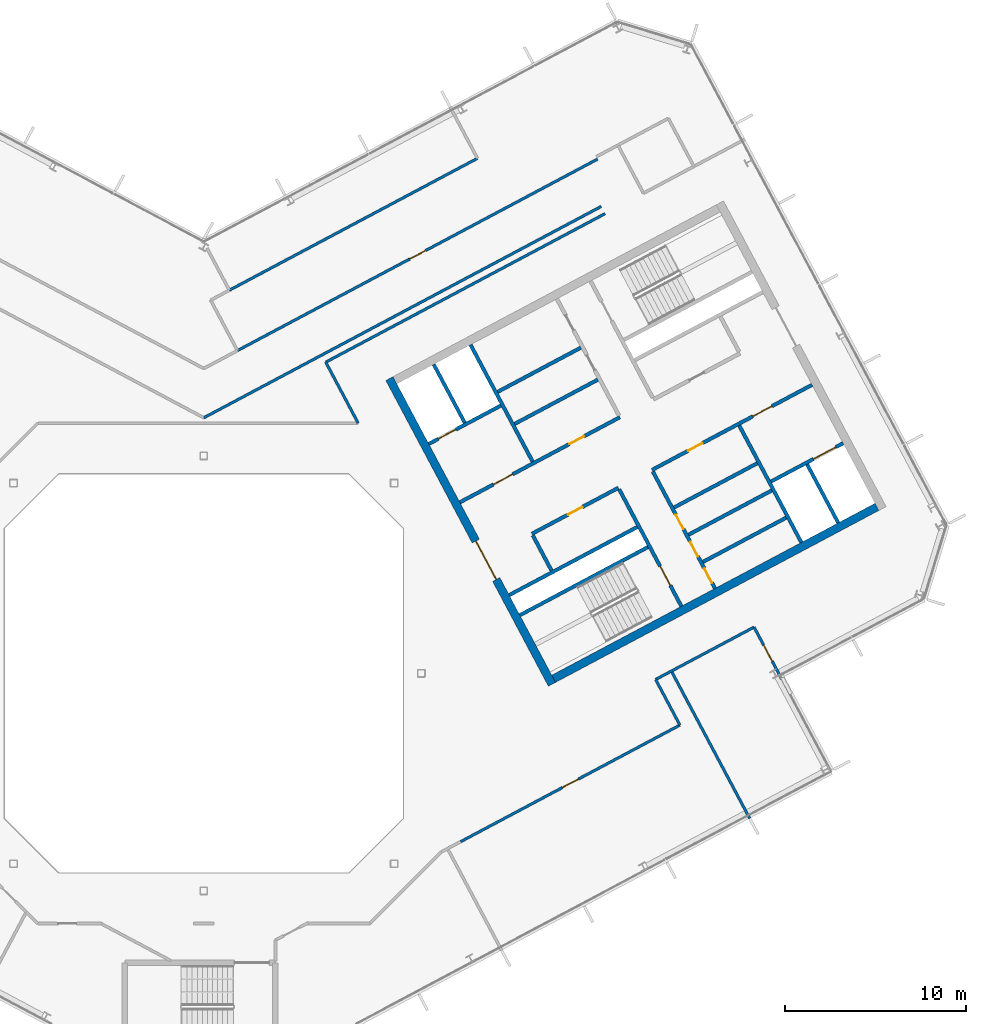
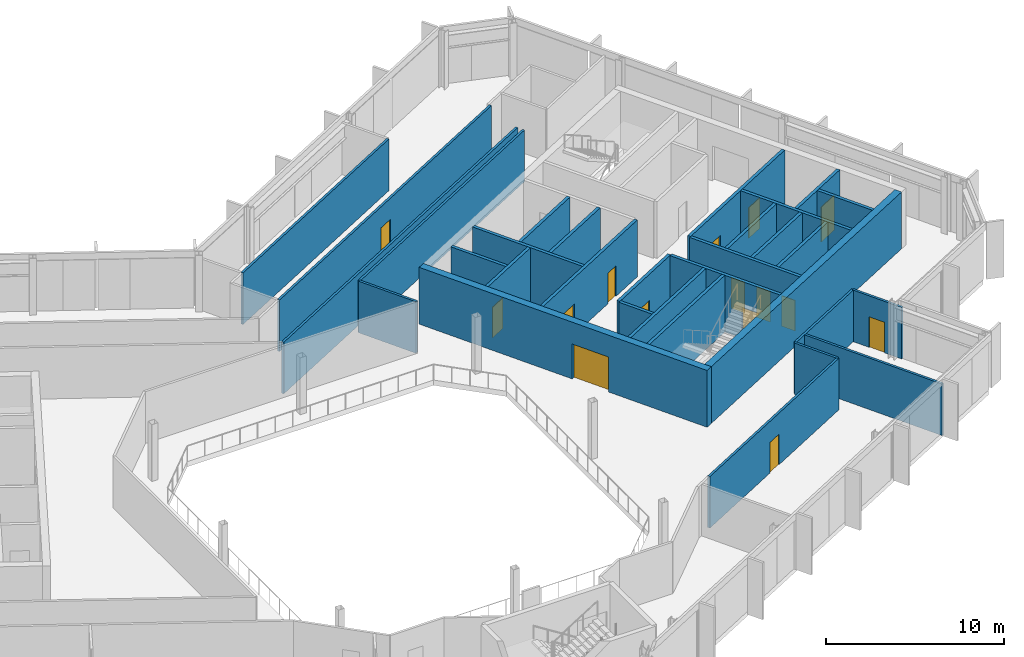
# One storey, part 16 of 26: 31 walls, 15 doors, 15 openings.
"""IFC4 building model written with IfcOpenShell, lengths in metres."""

from ifc_helpers import new_model, si_unit, direction, frame, frame_2d, origin, place, context, subcontext, project, spatial, rectangle, extrude, material, layer, layer_set, type_object, element, fill, save


model = new_model("IFC4")

# Units and contexts
model_context = context("Model", 3, precision=1e-05, world=origin(), true_north=direction((0.0, 1.0)))
body_context = subcontext(model_context, "Body", "Model", "MODEL_VIEW")
ifc_project = project(units=[si_unit("LENGTHUNIT", "METRE"), si_unit("AREAUNIT", "SQUARE_METRE"), si_unit("VOLUMEUNIT", "CUBIC_METRE"), si_unit("PLANEANGLEUNIT", "RADIAN"), si_unit("MASSUNIT", "GRAM", prefix="KILO")], contexts=[model_context])

# Site, building, storey
site_placement = place(None, origin())
site = spatial("IfcSite", under=ifc_project, at=site_placement, CompositionType="ELEMENT")
building_placement = place(site_placement, origin())
building = spatial("IfcBuilding", under=site, at=building_placement, Name="Cormorant Relay Tower", CompositionType="ELEMENT")
storey_placement = place(building_placement, frame((0.0, 0.0, 285.300048828125)))
storey = spatial("IfcBuildingStorey", under=building, at=storey_placement, Name="L64", CompositionType="ELEMENT", Elevation=285.300048828125)

# Walls
ifc_material_1 = material(Name="Concrete 40 MPa", Category="concrete")
ifc_layer_1 = layer(ifc_material_1, 0.199951171875)
ifc_layer_set_1 = layer_set([ifc_layer_1], Name="Core internal wall 200")
wall_type_1 = type_object("IfcWallType", Name="Core internal wall 200", PredefinedType="SOLIDWALL", material=ifc_layer_set_1)
for number, where, z_axis, x_axis, name in (
    (1, (27.537109375, 6.1474609375, 0.0), (0.0, 0.0, 1.0), (0.882934506056, 0.469496174655, 0.0), "L64 core B shaft and room wall"),
    (2, (26.739013671875, 7.6484375, 0.0), (0.0, 0.0, 1.0), (0.882934506056, 0.469496174655, 0.0), "L64 core B shaft and room wall"),
    (3, (16.2080078125, 15.526611328125, 0.0), (0.0, 0.0, 1.0), (0.882953967957, 0.469459572775, 0.0), "L64 core B shaft and room wall"),
):
    element("IfcWall", number, at=place(storey_placement, frame(where, z_axis=z_axis, x_axis=x_axis)), inside=storey, type_object=wall_type_1, Name=name, PredefinedType="SOLIDWALL", context=body_context, shape_type="SweptSolid", body=[
        extrude(rectangle(XDim=5.199951171875, YDim=0.199951171875, at=frame_2d((2.60009765625, 0.0))), origin(), (0.0, 0.0, 1.0), 3.89990234375),
    ])
ifc_material_2 = material(Name="Concrete 50 MPa", Category="concrete")
ifc_layer_2 = layer(ifc_material_2, 0.199951171875)
ifc_layer_set_2 = layer_set([ifc_layer_2], Name="Core shaft wall 200")
wall_type_2 = type_object("IfcWallType", Name="Core shaft wall 200", PredefinedType="SHEAR", material=ifc_layer_set_2)
wall_1_placement = place(storey_placement, frame((14.39404296875, 13.825927734375, 0.0), z_axis=(0.0, 0.0, 1.0), x_axis=(-0.469494272526, 0.882935517501, 0.0)))
element("IfcWall", 4, at=wall_1_placement, inside=storey, type_object=wall_type_2, Name="L64 core B shaft wall", PredefinedType="SHEAR", context=body_context, shape_type="SweptSolid", body=[
    extrude(rectangle(XDim=3.64990234375, YDim=0.199951171875, at=frame_2d((1.824951171875, 0.0))), origin(), (0.0, 0.0, 1.0), 3.89990234375),
])
wall_2_placement = place(storey_placement, frame((19.18359375, 5.669921875, 0.0), z_axis=(0.0, 0.0, 1.0), x_axis=(-0.4694473164, 0.882960484464, 0.0)))
element("IfcWall", 5, at=wall_2_placement, inside=storey, type_object=wall_type_2, Name="L64 core B shaft wall", PredefinedType="SHEAR", context=body_context, shape_type="SweptSolid", body=[
    extrude(rectangle(XDim=2.199951171875, YDim=0.199951171875, at=frame_2d((1.10009765625, 0.0))), origin(), (0.0, 0.0, 1.0), 3.89990234375),
])
wall_3_placement = place(storey_placement, frame((18.138427734375, 11.682861328125, 0.0), z_axis=(0.0, 0.0, 1.0), x_axis=(-0.469480409012, 0.88294288918, 0.0)))
element("IfcWall", 6, at=wall_3_placement, inside=storey, type_object=wall_type_2, Name="L64 core B shaft wall", PredefinedType="SHEAR", context=body_context, shape_type="SweptSolid", body=[
    extrude(rectangle(XDim=7.300048828125, YDim=0.199951171875, at=frame_2d((3.64990234375, 0.0))), origin(), (0.0, 0.0, 1.0), 3.89990234375),
])

# Wall, opening, door
wall_4_placement = place(storey_placement, frame((26.345947265625, 3.701904296875, 0.0), z_axis=(0.0, 0.0, 1.0), x_axis=(-0.469480409012, 0.88294288918, 0.0)))
wall_4 = element("IfcWall", 7, at=wall_4_placement, inside=storey, type_object=wall_type_2, Name="L64 core B shaft wall", PredefinedType="SHEAR", context=body_context, shape_type="SweptSolid", body=[
    extrude(rectangle(XDim=7.300048828125, YDim=0.199951171875, at=frame_2d((3.64990234375, 0.0))), origin(), (0.0, 0.0, 1.0), 3.89990234375),
])
opening_1_placement = place(wall_4_placement, frame((1.300048828125, 0.0, 0.0)))
opening_1 = element("IfcOpeningElement", 8, at=opening_1_placement, cuts=wall_4, Name="Opening CDB-040", PredefinedType="OPENING", context=body_context, shape_type="SweptSolid", body=[
    extrude(rectangle(XDim=1.199951171875, YDim=2.10009765625, at=frame_2d((0.60009765625, 1.050048828125))), frame((0.0, 0.10986328125, 0.0), z_axis=(0.0, -1.0, 0.0), x_axis=(1.0, 0.0, 0.0)), (0.0, 0.0, 1.0), 0.219970703125),
])
ifc_material_3 = material(Name="Steel fire door", Category="steel")
door_type_1 = type_object("IfcDoorType", Name="Core stair door 1200x2100", OperationType="SINGLE_SWING_LEFT", PredefinedType="DOOR", material=ifc_material_3)
door_1_placement = place(opening_1_placement, origin())
door_1 = element("IfcDoor", 9, at=door_1_placement, inside=storey, type_object=door_type_1, Name="Core stair door 1200x2100", OperationType="SINGLE_SWING_RIGHT", OverallHeight=2.10009765625, OverallWidth=1.199951171875, PredefinedType="DOOR", context=body_context, shape_type="SweptSolid", body=[
    extrude(rectangle(XDim=1.199951171875, YDim=2.10009765625, at=frame_2d((0.60009765625, 1.050048828125))), frame((0.0, 0.02490234375, 0.0), z_axis=(0.0, -1.0, 0.0), x_axis=(1.0, 0.0, 0.0)), (0.0, 0.0, 1.0), 0.050048828125),
])
fill(opening_1, door_1)

# Wall, openings, doors
wall_5_placement = place(storey_placement, frame((28.199951171875, 4.687744140625, 0.0), z_axis=(0.0, 0.0, 1.0), x_axis=(-0.469454336211, 0.882956752176, 0.0)))
wall_5 = element("IfcWall", 10, at=wall_5_placement, inside=storey, type_object=wall_type_2, Name="L64 core B shaft wall", PredefinedType="SHEAR", context=body_context, shape_type="SweptSolid", body=[
    extrude(rectangle(XDim=7.300048828125, YDim=0.199951171875, at=frame_2d((3.64990234375, 0.0))), origin(), (0.0, 0.0, 1.0), 3.89990234375),
])
opening_2_placement = place(wall_5_placement, frame((0.35009765625, 0.0, 0.0)))
opening_2 = element("IfcOpeningElement", 11, at=opening_2_placement, cuts=wall_5, Name="Opening CDD-334", PredefinedType="OPENING", context=body_context, shape_type="SweptSolid", body=[
    extrude(rectangle(XDim=0.89990234375, YDim=2.10009765625, at=frame_2d((0.449951171875, 1.050048828125))), frame((0.0, 0.10986328125, 0.0), z_axis=(0.0, -1.0, 0.0), x_axis=(1.0, 0.0, 0.0)), (0.0, 0.0, 1.0), 0.219970703125),
])
opening_3_placement = place(wall_5_placement, frame((2.0, 0.0, 0.0)))
opening_3 = element("IfcOpeningElement", 12, at=opening_3_placement, cuts=wall_5, Name="Opening CDD-335", PredefinedType="OPENING", context=body_context, shape_type="SweptSolid", body=[
    extrude(rectangle(XDim=0.89990234375, YDim=2.10009765625, at=frame_2d((0.449951171875, 1.050048828125))), frame((0.0, 0.10986328125, 0.0), z_axis=(0.0, -1.0, 0.0), x_axis=(1.0, 0.0, 0.0)), (0.0, 0.0, 1.0), 0.219970703125),
])
opening_4_placement = place(wall_5_placement, frame((3.699951171875, 0.0, 0.0)))
opening_4 = element("IfcOpeningElement", 13, at=opening_4_placement, cuts=wall_5, Name="Opening CDD-336", PredefinedType="OPENING", context=body_context, shape_type="SweptSolid", body=[
    extrude(rectangle(XDim=0.89990234375, YDim=2.10009765625, at=frame_2d((0.449951171875, 1.050048828125))), frame((0.0, 0.10986328125, 0.0), z_axis=(0.0, -1.0, 0.0), x_axis=(1.0, 0.0, 0.0)), (0.0, 0.0, 1.0), 0.219970703125),
])
ifc_material_4 = material(Name="Steel fire door", Category="steel")
door_type_2 = type_object("IfcDoorType", Name="Core room door 900x2100", OperationType="SINGLE_SWING_LEFT", PredefinedType="DOOR", material=ifc_material_4)
door_2_placement = place(opening_2_placement, frame((0.89990234375, 0.0, 0.0), z_axis=(0.0, 0.0, 1.0), x_axis=(-1.0, 0.0, 0.0)))
door_2 = element("IfcDoor", 14, at=door_2_placement, inside=storey, type_object=door_type_2, Name="Core room door 900x2100", OperationType="SINGLE_SWING_LEFT", OverallHeight=2.10009765625, OverallWidth=0.89990234375, PredefinedType="DOOR", context=body_context, shape_type="SweptSolid", body=[
    extrude(rectangle(XDim=0.89990234375, YDim=2.10009765625, at=frame_2d((0.449951171875, 1.050048828125))), frame((0.0, 0.02490234375, 0.0), z_axis=(0.0, -1.0, 0.0), x_axis=(1.0, 0.0, 0.0)), (0.0, 0.0, 1.0), 0.050048828125),
])
fill(opening_2, door_2)
door_3_placement = place(opening_3_placement, frame((0.89990234375, 0.0, 0.0), z_axis=(0.0, 0.0, 1.0), x_axis=(-1.0, 0.0, 0.0)))
door_3 = element("IfcDoor", 15, at=door_3_placement, inside=storey, type_object=door_type_2, Name="Core room door 900x2100", OperationType="SINGLE_SWING_LEFT", OverallHeight=2.10009765625, OverallWidth=0.89990234375, PredefinedType="DOOR", context=body_context, shape_type="SweptSolid", body=[
    extrude(rectangle(XDim=0.89990234375, YDim=2.10009765625, at=frame_2d((0.449951171875, 1.050048828125))), frame((0.0, 0.02490234375, 0.0), z_axis=(0.0, -1.0, 0.0), x_axis=(1.0, 0.0, 0.0)), (0.0, 0.0, 1.0), 0.050048828125),
])
fill(opening_3, door_3)
door_4_placement = place(opening_4_placement, frame((0.89990234375, 0.0, 0.0), z_axis=(0.0, 0.0, 1.0), x_axis=(-1.0, 0.0, 0.0)))
door_4 = element("IfcDoor", 16, at=door_4_placement, inside=storey, type_object=door_type_2, Name="Core room door 900x2100", OperationType="SINGLE_SWING_LEFT", OverallHeight=2.10009765625, OverallWidth=0.89990234375, PredefinedType="DOOR", context=body_context, shape_type="SweptSolid", body=[
    extrude(rectangle(XDim=0.89990234375, YDim=2.10009765625, at=frame_2d((0.449951171875, 1.050048828125))), frame((0.0, 0.02490234375, 0.0), z_axis=(0.0, -1.0, 0.0), x_axis=(1.0, 0.0, 0.0)), (0.0, 0.0, 1.0), 0.050048828125),
])
fill(opening_4, door_4)

# Walls
wall_6_placement = place(storey_placement, frame((32.968017578125, 7.222900390625, 0.0), z_axis=(0.0, 0.0, 1.0), x_axis=(-0.469480409012, 0.88294288918, 0.0)))
element("IfcWall", 17, at=wall_6_placement, inside=storey, type_object=wall_type_2, Name="L64 core B shaft wall", PredefinedType="SHEAR", context=body_context, shape_type="SweptSolid", body=[
    extrude(rectangle(XDim=7.300048828125, YDim=0.199951171875, at=frame_2d((3.64990234375, 0.0))), origin(), (0.0, 0.0, 1.0), 3.89990234375),
])
wall_7_placement = place(storey_placement, frame((34.998779296875, 8.302734375, 0.0), z_axis=(0.0, 0.0, 1.0), x_axis=(-0.4694665462, 0.882950260207, 0.0)))
element("IfcWall", 18, at=wall_7_placement, inside=storey, type_object=wall_type_2, Name="L64 core B shaft wall", PredefinedType="SHEAR", context=body_context, shape_type="SweptSolid", body=[
    extrude(rectangle(XDim=3.650146484375, YDim=0.199951171875, at=frame_2d((1.8251953125, 0.0))), origin(), (0.0, 0.0, 1.0), 3.89990234375),
])
wall_8_placement = place(storey_placement, frame((17.43359375, 3.210205078125, 0.0), z_axis=(0.0, 0.0, 1.0), x_axis=(0.882940221191, 0.469485426614, 0.0)))
element("IfcWall", 19, at=wall_8_placement, inside=storey, type_object=wall_type_2, Name="L64 core B shaft wall", PredefinedType="SHEAR", context=body_context, shape_type="SweptSolid", body=[
    extrude(rectangle(XDim=8.0, YDim=0.199951171875, at=frame_2d((4.0, 0.0))), origin(), (0.0, 0.0, 1.0), 3.89990234375),
])

# Wall, opening, door
wall_9_placement = place(storey_placement, frame((31.295654296875, 10.5810546875, 0.0), z_axis=(0.0, 0.0, 1.0), x_axis=(0.882960433586, 0.469447412093, 0.0)))
wall_9 = element("IfcWall", 20, at=wall_9_placement, inside=storey, type_object=wall_type_2, Name="L64 core B shaft wall", PredefinedType="SHEAR", context=body_context, shape_type="SweptSolid", body=[
    extrude(rectangle(XDim=4.5, YDim=0.199951171875, at=frame_2d((2.25, 0.0))), origin(), (0.0, 0.0, 1.0), 3.89990234375),
])
opening_5_placement = place(wall_9_placement, frame((2.64990234375, 0.0, 0.0)))
opening_5 = element("IfcOpeningElement", 21, at=opening_5_placement, cuts=wall_9, Name="Opening LD3-016", PredefinedType="OPENING", context=body_context, shape_type="SweptSolid", body=[
    extrude(rectangle(XDim=1.39990234375, YDim=2.39990234375, at=frame_2d((0.699951171875, 1.199951171875))), frame((0.0, 0.10986328125, 0.0), z_axis=(0.0, -1.0, 0.0), x_axis=(1.0, 0.0, 0.0)), (0.0, 0.0, 1.0), 0.219970703125),
])
ifc_material_5 = material(Name="Stainless steel 316", Category="steel")
door_type_3 = type_object("IfcDoorType", Name="Lift landing door 1400x2400", OperationType="DOUBLE_DOOR_SLIDING", PredefinedType="DOOR", material=ifc_material_5)
door_5_placement = place(opening_5_placement, origin())
door_5 = element("IfcDoor", 22, at=door_5_placement, inside=storey, type_object=door_type_3, Name="SV2 landing door", OperationType="DOUBLE_DOOR_SLIDING", OverallHeight=2.39990234375, OverallWidth=1.39990234375, PredefinedType="DOOR", context=body_context, shape_type="SweptSolid", body=[
    extrude(rectangle(XDim=1.39990234375, YDim=2.39990234375, at=frame_2d((0.699951171875, 1.199951171875))), frame((0.0, 0.02490234375, 0.0), z_axis=(0.0, -1.0, 0.0), x_axis=(1.0, 0.0, 0.0)), (0.0, 0.0, 1.0), 0.050048828125),
])
fill(opening_5, door_5)

# Walls
wall_10_placement = place(storey_placement, frame((16.8466796875, 4.31396484375, 0.0), z_axis=(0.0, 0.0, 1.0), x_axis=(0.882940221191, 0.469485426614, 0.0)))
element("IfcWall", 23, at=wall_10_placement, inside=storey, type_object=wall_type_2, Name="L64 core B shaft wall", PredefinedType="SHEAR", context=body_context, shape_type="SweptSolid", body=[
    extrude(rectangle(XDim=8.0, YDim=0.199951171875, at=frame_2d((4.0, 0.0))), origin(), (0.0, 0.0, 1.0), 3.89990234375),
])
wall_11_placement = place(storey_placement, frame((25.94091796875, 9.149658203125, 0.0), z_axis=(0.0, 0.0, 1.0), x_axis=(0.882953967957, 0.469459572775, 0.0)))
element("IfcWall", 24, at=wall_11_placement, inside=storey, type_object=wall_type_2, Name="L64 core B shaft wall", PredefinedType="SHEAR", context=body_context, shape_type="SweptSolid", body=[
    extrude(rectangle(XDim=5.199951171875, YDim=0.199951171875, at=frame_2d((2.60009765625, 0.0))), origin(), (0.0, 0.0, 1.0), 3.89990234375),
])

# Wall, opening, door
wall_12_placement = place(storey_placement, frame((18.103759765625, 7.70068359375, 0.0), z_axis=(0.0, 0.0, 1.0), x_axis=(0.882952937579, 0.469461510692, 0.0)))
wall_12 = element("IfcWall", 25, at=wall_12_placement, inside=storey, type_object=wall_type_2, Name="L64 core B shaft wall", PredefinedType="SHEAR", context=body_context, shape_type="SweptSolid", body=[
    extrude(rectangle(XDim=5.400146484375, YDim=0.199951171875, at=frame_2d((2.7001953125, 0.0))), origin(), (0.0, 0.0, 1.0), 3.89990234375),
])
opening_6_placement = place(wall_12_placement, frame((2.25, 0.0, 0.0)))
opening_6 = element("IfcOpeningElement", 26, at=opening_6_placement, cuts=wall_12, Name="Opening CDD-262", PredefinedType="OPENING", context=body_context, shape_type="SweptSolid", body=[
    extrude(rectangle(XDim=0.89990234375, YDim=2.10009765625, at=frame_2d((0.449951171875, 1.050048828125))), frame((0.0, 0.10986328125, 0.0), z_axis=(0.0, -1.0, 0.0), x_axis=(1.0, 0.0, 0.0)), (0.0, 0.0, 1.0), 0.219970703125),
])
door_6_placement = place(opening_6_placement, frame((0.89990234375, 0.0, 0.0), z_axis=(0.0, 0.0, 1.0), x_axis=(-1.0, 0.0, 0.0)))
door_6 = element("IfcDoor", 27, at=door_6_placement, inside=storey, type_object=door_type_2, Name="Core room door 900x2100", OperationType="SINGLE_SWING_RIGHT", OverallHeight=2.10009765625, OverallWidth=0.89990234375, PredefinedType="DOOR", context=body_context, shape_type="SweptSolid", body=[
    extrude(rectangle(XDim=0.89990234375, YDim=2.10009765625, at=frame_2d((0.449951171875, 1.050048828125))), frame((0.0, 0.02490234375, 0.0), z_axis=(0.0, -1.0, 0.0), x_axis=(1.0, 0.0, 0.0)), (0.0, 0.0, 1.0), 0.050048828125),
])
fill(opening_6, door_6)

# Wall, openings, doors
wall_13_placement = place(storey_placement, frame((24.72607421875, 11.2216796875, 0.0), z_axis=(0.0, 0.0, 1.0), x_axis=(0.882940221191, 0.469485426614, 0.0)))
wall_13 = element("IfcWall", 28, at=wall_13_placement, inside=storey, type_object=wall_type_2, Name="L64 core B shaft wall", PredefinedType="SHEAR", context=body_context, shape_type="SweptSolid", body=[
    extrude(rectangle(XDim=10.0, YDim=0.199951171875, at=frame_2d((5.0, 0.0))), origin(), (0.0, 0.0, 1.0), 3.89990234375),
])
opening_7_placement = place(wall_13_placement, frame((6.300048828125, 0.0, 0.0)))
opening_7 = element("IfcOpeningElement", 29, at=opening_7_placement, cuts=wall_13, Name="Opening CDC-038", PredefinedType="OPENING", context=body_context, shape_type="SweptSolid", body=[
    extrude(rectangle(XDim=1.199951171875, YDim=2.10009765625, at=frame_2d((0.60009765625, 1.050048828125))), frame((0.0, 0.10986328125, 0.0), z_axis=(0.0, -1.0, 0.0), x_axis=(1.0, 0.0, 0.0)), (0.0, 0.0, 1.0), 0.219970703125),
])
opening_8_placement = place(wall_13_placement, frame((2.25, 0.0, 0.0)))
opening_8 = element("IfcOpeningElement", 30, at=opening_8_placement, cuts=wall_13, Name="Opening CDD-332", PredefinedType="OPENING", context=body_context, shape_type="SweptSolid", body=[
    extrude(rectangle(XDim=0.89990234375, YDim=2.10009765625, at=frame_2d((0.449951171875, 1.050048828125))), frame((0.0, 0.10986328125, 0.0), z_axis=(0.0, -1.0, 0.0), x_axis=(1.0, 0.0, 0.0)), (0.0, 0.0, 1.0), 0.219970703125),
])
ifc_material_6 = material(Name="Steel fire door", Category="steel")
door_type_4 = type_object("IfcDoorType", Name="Core lobby door 1200x2100", OperationType="SINGLE_SWING_LEFT", PredefinedType="DOOR", material=ifc_material_6)
door_7_placement = place(opening_7_placement, origin())
door_7 = element("IfcDoor", 31, at=door_7_placement, inside=storey, type_object=door_type_4, Name="Core lobby door 1200x2100", OperationType="SINGLE_SWING_LEFT", OverallHeight=2.10009765625, OverallWidth=1.199951171875, PredefinedType="DOOR", context=body_context, shape_type="SweptSolid", body=[
    extrude(rectangle(XDim=1.199951171875, YDim=2.10009765625, at=frame_2d((0.60009765625, 1.050048828125))), frame((0.0, 0.02490234375, 0.0), z_axis=(0.0, -1.0, 0.0), x_axis=(1.0, 0.0, 0.0)), (0.0, 0.0, 1.0), 0.050048828125),
])
fill(opening_7, door_7)
door_8_placement = place(opening_8_placement, origin())
door_8 = element("IfcDoor", 32, at=door_8_placement, inside=storey, type_object=door_type_2, Name="Core room door 900x2100", OperationType="SINGLE_SWING_LEFT", OverallHeight=2.10009765625, OverallWidth=0.89990234375, PredefinedType="DOOR", context=body_context, shape_type="SweptSolid", body=[
    extrude(rectangle(XDim=0.89990234375, YDim=2.10009765625, at=frame_2d((0.449951171875, 1.050048828125))), frame((0.0, 0.02490234375, 0.0), z_axis=(0.0, -1.0, 0.0), x_axis=(1.0, 0.0, 0.0)), (0.0, 0.0, 1.0), 0.050048828125),
])
fill(opening_8, door_8)

wall_14_placement = place(storey_placement, frame((14.123779296875, 9.43505859375, 0.0), z_axis=(0.0, 0.0, 1.0), x_axis=(0.882940221191, 0.469485426614, 0.0)))
wall_14 = element("IfcWall", 33, at=wall_14_placement, inside=storey, type_object=wall_type_2, Name="L64 core B shaft wall", PredefinedType="SHEAR", context=body_context, shape_type="SweptSolid", body=[
    extrude(rectangle(XDim=10.0, YDim=0.199951171875, at=frame_2d((5.0, 0.0))), origin(), (0.0, 0.0, 1.0), 3.89990234375),
])
opening_9_placement = place(wall_14_placement, frame((2.10009765625, 0.0, 0.0)))
opening_9 = element("IfcOpeningElement", 34, at=opening_9_placement, cuts=wall_14, Name="Opening CDC-037", PredefinedType="OPENING", context=body_context, shape_type="SweptSolid", body=[
    extrude(rectangle(XDim=1.199951171875, YDim=2.10009765625, at=frame_2d((0.60009765625, 1.050048828125))), frame((0.0, 0.10986328125, 0.0), z_axis=(0.0, -1.0, 0.0), x_axis=(1.0, 0.0, 0.0)), (0.0, 0.0, 1.0), 0.219970703125),
])
opening_10_placement = place(wall_14_placement, frame((6.85009765625, 0.0, 0.0)))
opening_10 = element("IfcOpeningElement", 35, at=opening_10_placement, cuts=wall_14, Name="Opening CDD-260", PredefinedType="OPENING", context=body_context, shape_type="SweptSolid", body=[
    extrude(rectangle(XDim=0.89990234375, YDim=2.10009765625, at=frame_2d((0.449951171875, 1.050048828125))), frame((0.0, 0.10986328125, 0.0), z_axis=(0.0, -1.0, 0.0), x_axis=(1.0, 0.0, 0.0)), (0.0, 0.0, 1.0), 0.219970703125),
])
door_9_placement = place(opening_9_placement, origin())
door_9 = element("IfcDoor", 36, at=door_9_placement, inside=storey, type_object=door_type_4, Name="Core lobby door 1200x2100", OperationType="SINGLE_SWING_RIGHT", OverallHeight=2.10009765625, OverallWidth=1.199951171875, PredefinedType="DOOR", context=body_context, shape_type="SweptSolid", body=[
    extrude(rectangle(XDim=1.199951171875, YDim=2.10009765625, at=frame_2d((0.60009765625, 1.050048828125))), frame((0.0, 0.02490234375, 0.0), z_axis=(0.0, -1.0, 0.0), x_axis=(1.0, 0.0, 0.0)), (0.0, 0.0, 1.0), 0.050048828125),
])
fill(opening_9, door_9)
door_10_placement = place(opening_10_placement, origin())
door_10 = element("IfcDoor", 37, at=door_10_placement, inside=storey, type_object=door_type_2, Name="Core room door 900x2100", OperationType="SINGLE_SWING_LEFT", OverallHeight=2.10009765625, OverallWidth=0.89990234375, PredefinedType="DOOR", context=body_context, shape_type="SweptSolid", body=[
    extrude(rectangle(XDim=0.89990234375, YDim=2.10009765625, at=frame_2d((0.449951171875, 1.050048828125))), frame((0.0, 0.02490234375, 0.0), z_axis=(0.0, -1.0, 0.0), x_axis=(1.0, 0.0, 0.0)), (0.0, 0.0, 1.0), 0.050048828125),
])
fill(opening_10, door_10)

# Wall
wall_15_placement = place(storey_placement, frame((17.146728515625, 13.7607421875, 0.0), z_axis=(0.0, 0.0, 1.0), x_axis=(0.882964314875, 0.469440111896, 0.0)))
element("IfcWall", 38, at=wall_15_placement, inside=storey, type_object=wall_type_2, Name="L64 core B shaft wall", PredefinedType="SHEAR", context=body_context, shape_type="SweptSolid", body=[
    extrude(rectangle(XDim=5.2001953125, YDim=0.199951171875, at=frame_2d((2.60009765625, 0.0))), origin(), (0.0, 0.0, 1.0), 3.89990234375),
])

# Wall, opening, door
wall_16_placement = place(storey_placement, frame((12.41015625, 12.657958984375, 0.0), z_axis=(0.0, 0.0, 1.0), x_axis=(0.8829484765, 0.469469900894, 0.0)))
wall_16 = element("IfcWall", 39, at=wall_16_placement, inside=storey, type_object=wall_type_2, Name="L64 core B shaft wall", PredefinedType="SHEAR", context=body_context, shape_type="SweptSolid", body=[
    extrude(rectangle(XDim=4.499755859375, YDim=0.199951171875, at=frame_2d((2.25, 0.0))), origin(), (0.0, 0.0, 1.0), 3.89990234375),
])
opening_11_placement = place(wall_16_placement, frame((0.60009765625, 0.0, 0.0)))
opening_11 = element("IfcOpeningElement", 40, at=opening_11_placement, cuts=wall_16, Name="Opening LD1-064", PredefinedType="OPENING", context=body_context, shape_type="SweptSolid", body=[
    extrude(rectangle(XDim=1.10009765625, YDim=2.10009765625, at=frame_2d((0.550048828125, 1.050048828125))), frame((0.0, 0.10986328125, 0.0), z_axis=(0.0, -1.0, 0.0), x_axis=(1.0, 0.0, 0.0)), (0.0, 0.0, 1.0), 0.219970703125),
])
ifc_material_7 = material(Name="Stainless steel 316", Category="steel")
door_type_5 = type_object("IfcDoorType", Name="Lift landing door 1100x2100", OperationType="DOUBLE_DOOR_SLIDING", PredefinedType="DOOR", material=ifc_material_7)
door_11_placement = place(opening_11_placement, origin())
door_11 = element("IfcDoor", 41, at=door_11_placement, inside=storey, type_object=door_type_5, Name="FF2 landing door", OperationType="DOUBLE_DOOR_SLIDING", OverallHeight=2.10009765625, OverallWidth=1.10009765625, PredefinedType="DOOR", context=body_context, shape_type="SweptSolid", body=[
    extrude(rectangle(XDim=1.10009765625, YDim=2.10009765625, at=frame_2d((0.550048828125, 1.050048828125))), frame((0.0, 0.02490234375, 0.0), z_axis=(0.0, -1.0, 0.0), x_axis=(1.0, 0.0, 0.0)), (0.0, 0.0, 1.0), 0.050048828125),
])
fill(opening_11, door_11)

ifc_material_8 = material(Name="Concrete 50 MPa", Category="concrete")
ifc_layer_3 = layer(ifc_material_8, 0.449951171875)
ifc_layer_set_3 = layer_set([ifc_layer_3], Name="Core wall 450")
wall_type_3 = type_object("IfcWallType", Name="Core wall 450", PredefinedType="SHEAR", material=ifc_layer_set_3)
wall_17_placement = place(storey_placement, frame((19.20654296875, -0.603759765625, 0.0), z_axis=(0.0, 0.0, 1.0), x_axis=(-0.469467968382, 0.882949504028, 0.0)))
wall_17 = element("IfcWall", 42, at=wall_17_placement, inside=storey, type_object=wall_type_3, Name="L64 core B wall", PredefinedType="SHEAR", context=body_context, shape_type="SweptSolid", body=[
    extrude(rectangle(XDim=19.099853515625, YDim=0.449951171875, at=frame_2d((9.5498046875, 0.0))), origin(), (0.0, 0.0, 1.0), 3.89990234375),
])
opening_12_placement = place(wall_17_placement, frame((6.550048828125, 0.0, 0.0)))
opening_12 = element("IfcOpeningElement", 43, at=opening_12_placement, cuts=wall_17, Name="Opening CDA-055", PredefinedType="OPENING", context=body_context, shape_type="SweptSolid", body=[
    extrude(rectangle(XDim=2.39990234375, YDim=2.39990234375, at=frame_2d((1.199951171875, 1.199951171875))), frame((0.0, 0.23486328125, 0.0), z_axis=(0.0, -1.0, 0.0), x_axis=(1.0, 0.0, 0.0)), (0.0, 0.0, 1.0), 0.469970703125),
])
ifc_material_9 = material(Name="Steel fire door", Category="steel")
door_type_6 = type_object("IfcDoorType", Name="Core lobby door 2400x2400", OperationType="DOUBLE_DOOR_SINGLE_SWING", PredefinedType="DOOR", material=ifc_material_9)
door_12_placement = place(opening_12_placement, origin())
door_12 = element("IfcDoor", 44, at=door_12_placement, inside=storey, type_object=door_type_6, Name="Core lobby door 2400x2400", OperationType="DOUBLE_DOOR_SINGLE_SWING", OverallHeight=2.39990234375, OverallWidth=2.39990234375, PredefinedType="DOOR", context=body_context, shape_type="SweptSolid", body=[
    extrude(rectangle(XDim=2.39990234375, YDim=2.39990234375, at=frame_2d((1.199951171875, 1.199951171875))), frame((0.0, 0.02490234375, 0.0), z_axis=(0.0, -1.0, 0.0), x_axis=(1.0, 0.0, 0.0)), (0.0, 0.0, 1.0), 0.050048828125),
])
fill(opening_12, door_12)

# Walls
wall_18_placement = place(storey_placement, frame((19.299560546875, -0.29931640625, 0.0), z_axis=(0.0, 0.0, 1.0), x_axis=(0.88295276571, 0.46946183394, 0.0)))
element("IfcWall", 45, at=wall_18_placement, inside=storey, type_object=wall_type_3, Name="L64 core B wall", PredefinedType="SHEAR", context=body_context, shape_type="SweptSolid", body=[
    extrude(rectangle(XDim=20.199951171875, YDim=0.449951171875, at=frame_2d((10.10009765625, 0.0))), origin(), (0.0, 0.0, 1.0), 3.89990234375),
])
ifc_material_10 = material(Name="Gypsum board fire partition")
ifc_layer_4 = layer(ifc_material_10, 0.14990234375)
ifc_layer_set_4 = layer_set([ifc_layer_4], Name="Corridor partition 150 EI 60")
wall_type_4 = type_object("IfcWallType", Name="Corridor partition 150 EI 60", PredefinedType="PARTITIONING", material=ifc_layer_set_4)
wall_19_placement = place(storey_placement, frame((0.0, 14.10009765625, 0.0), z_axis=(0.0, 0.0, 1.0), x_axis=(0.882935523368, 0.469494261493, 0.0)))
element("IfcWall", 46, at=wall_19_placement, inside=storey, type_object=wall_type_4, Name="wall/L64/part/024", PredefinedType="PARTITIONING", context=body_context, shape_type="SweptSolid", body=[
    extrude(rectangle(XDim=24.830810546875, YDim=0.14990234375, at=frame_2d((12.41552734375, 0.0))), origin(), (0.0, 0.0, 1.0), 3.5400390625),
])
wall_20_placement = place(storey_placement, frame((22.135009765625, 25.360107421875, 0.0), z_axis=(0.0, 0.0, 1.0), x_axis=(-0.882945198202, -0.469476066453, 0.0)))
element("IfcWall", 47, at=wall_20_placement, inside=storey, type_object=wall_type_4, Name="wall/L64/part/025", PredefinedType="PARTITIONING", context=body_context, shape_type="SweptSolid", body=[
    extrude(rectangle(XDim=17.449462890625, YDim=0.14990234375, at=frame_2d((8.724609375, 0.0))), origin(), (0.0, 0.0, 1.0), 3.5400390625),
])
wall_21_placement = place(storey_placement, frame((6.72802734375, 17.16796875, 0.0), z_axis=(0.0, 0.0, 1.0), x_axis=(0.469325262013, -0.883025366813, 0.0)))
element("IfcWall", 48, at=wall_21_placement, inside=storey, type_object=wall_type_4, Name="wall/L64/part/026", PredefinedType="PARTITIONING", context=body_context, shape_type="SweptSolid", body=[
    extrude(rectangle(XDim=3.81396484375, YDim=0.14990234375, at=frame_2d((1.906982421875, 0.0))), origin(), (0.0, 0.0, 1.0), 3.5400390625),
])

# Wall, opening, door
wall_22_placement = place(storey_placement, frame((1.864990234375, 17.81103515625, 0.0), z_axis=(0.0, 0.0, 1.0), x_axis=(0.882960942519, 0.469446454866, 0.0)))
wall_22 = element("IfcWall", 49, at=wall_22_placement, inside=storey, type_object=wall_type_4, Name="wall/L64/part/056", PredefinedType="PARTITIONING", context=body_context, shape_type="SweptSolid", body=[
    extrude(rectangle(XDim=22.49267578125, YDim=0.14990234375, at=frame_2d((11.246337890625, 0.0))), origin(), (0.0, 0.0, 1.0), 3.5400390625),
])
opening_13_placement = place(wall_22_placement, frame((10.75, 0.0, 0.0)))
opening_13 = element("IfcOpeningElement", 50, at=opening_13_placement, cuts=wall_22, Name="Opening DS-220", PredefinedType="OPENING", context=body_context, shape_type="SweptSolid", body=[
    extrude(rectangle(XDim=1.0, YDim=2.10009765625, at=frame_2d((0.5, 1.050048828125))), frame((0.0, 0.0849609375, 0.0), z_axis=(0.0, -1.0, 0.0), x_axis=(1.0, 0.0, 0.0)), (0.0, 0.0, 1.0), 0.169921875),
])
ifc_material_11 = material(Name="Timber door leaf", Category="wood")
door_type_7 = type_object("IfcDoorType", Name="Suite door 1000x2100", OperationType="SINGLE_SWING_LEFT", PredefinedType="DOOR", material=ifc_material_11)
door_13_placement = place(opening_13_placement, origin())
door_13 = element("IfcDoor", 51, at=door_13_placement, inside=storey, type_object=door_type_7, Name="door/L64/005", OperationType="SINGLE_SWING_LEFT", OverallHeight=2.10009765625, OverallWidth=1.0, PredefinedType="DOOR", context=body_context, shape_type="SweptSolid", body=[
    extrude(rectangle(XDim=1.0, YDim=2.10009765625, at=frame_2d((0.5, 1.050048828125))), frame((0.0, 0.02490234375, 0.0), z_axis=(0.0, -1.0, 0.0), x_axis=(1.0, 0.0, 0.0)), (0.0, 0.0, 1.0), 0.050048828125),
])
fill(opening_13, door_13)

# Wall
wall_23_placement = place(storey_placement, frame((24.927978515625, -0.341064453125, 0.0), z_axis=(0.0, 0.0, 1.0), x_axis=(0.469412363336, -0.882979067219, 0.0)))
element("IfcWall", 52, at=wall_23_placement, inside=storey, type_object=wall_type_4, Name="wall/L64/part/063", PredefinedType="PARTITIONING", context=body_context, shape_type="SweptSolid", body=[
    extrude(rectangle(XDim=2.845947265625, YDim=0.14990234375, at=frame_2d((1.4228515625, 0.0))), origin(), (0.0, 0.0, 1.0), 3.5400390625),
])

# Wall, opening, door
wall_24_placement = place(storey_placement, frame((26.263916015625, -2.85400390625, 0.0), z_axis=(0.0, 0.0, 1.0), x_axis=(-0.882948799319, -0.469469293757, 0.0)))
wall_24 = element("IfcWall", 53, at=wall_24_placement, inside=storey, type_object=wall_type_4, Name="wall/L64/part/064", PredefinedType="PARTITIONING", context=body_context, shape_type="SweptSolid", body=[
    extrude(rectangle(XDim=13.6962890625, YDim=0.14990234375, at=frame_2d((6.84814453125, 0.0))), origin(), (0.0, 0.0, 1.0), 3.5400390625),
])
opening_14_placement = place(wall_24_placement, frame((6.35009765625, 0.0, 0.0)))
opening_14 = element("IfcOpeningElement", 54, at=opening_14_placement, cuts=wall_24, Name="Opening DS-218", PredefinedType="OPENING", context=body_context, shape_type="SweptSolid", body=[
    extrude(rectangle(XDim=1.0, YDim=2.10009765625, at=frame_2d((0.5, 1.050048828125))), frame((0.0, 0.0849609375, 0.0), z_axis=(0.0, -1.0, 0.0), x_axis=(1.0, 0.0, 0.0)), (0.0, 0.0, 1.0), 0.169921875),
])
door_14_placement = place(opening_14_placement, origin())
door_14 = element("IfcDoor", 55, at=door_14_placement, inside=storey, type_object=door_type_7, Name="door/L64/003", OperationType="SINGLE_SWING_RIGHT", OverallHeight=2.10009765625, OverallWidth=1.0, PredefinedType="DOOR", context=body_context, shape_type="SweptSolid", body=[
    extrude(rectangle(XDim=1.0, YDim=2.10009765625, at=frame_2d((0.5, 1.050048828125))), frame((0.0, 0.02490234375, 0.0), z_axis=(0.0, -1.0, 0.0), x_axis=(1.0, 0.0, 0.0)), (0.0, 0.0, 1.0), 0.050048828125),
])
fill(opening_14, door_14)

wall_25_placement = place(storey_placement, frame((31.89697265625, -0.346923828125, 0.0), z_axis=(0.0, 0.0, 1.0), x_axis=(-0.469630247772, 0.882863200263, 0.0)))
wall_25 = element("IfcWall", 56, at=wall_25_placement, inside=storey, type_object=wall_type_4, Name="wall/L64/part/070", PredefinedType="PARTITIONING", context=body_context, shape_type="SweptSolid", body=[
    extrude(rectangle(XDim=3.28125, YDim=0.14990234375, at=frame_2d((1.640625, 0.0))), origin(), (0.0, 0.0, 1.0), 3.5400390625),
])
opening_15_placement = place(wall_25_placement, frame((1.14990234375, 0.0, 0.0)))
opening_15 = element("IfcOpeningElement", 57, at=opening_15_placement, cuts=wall_25, Name="Opening DS-219", PredefinedType="OPENING", context=body_context, shape_type="SweptSolid", body=[
    extrude(rectangle(XDim=1.0, YDim=2.10009765625, at=frame_2d((0.5, 1.050048828125))), frame((0.0, 0.0849609375, 0.0), z_axis=(0.0, -1.0, 0.0), x_axis=(1.0, 0.0, 0.0)), (0.0, 0.0, 1.0), 0.169921875),
])
door_15_placement = place(opening_15_placement, origin())
door_15 = element("IfcDoor", 58, at=door_15_placement, inside=storey, type_object=door_type_7, Name="door/L64/004", OperationType="SINGLE_SWING_LEFT", OverallHeight=2.10009765625, OverallWidth=1.0, PredefinedType="DOOR", context=body_context, shape_type="SweptSolid", body=[
    extrude(rectangle(XDim=1.0, YDim=2.10009765625, at=frame_2d((0.5, 1.050048828125))), frame((0.0, 0.02490234375, 0.0), z_axis=(0.0, -1.0, 0.0), x_axis=(1.0, 0.0, 0.0)), (0.0, 0.0, 1.0), 0.050048828125),
])
fill(opening_15, door_15)

# Walls
wall_26_placement = place(storey_placement, frame((30.35595703125, 2.550048828125, 0.0), z_axis=(0.0, 0.0, 1.0), x_axis=(-0.882959926014, -0.46944836676, 0.0)))
element("IfcWall", 59, at=wall_26_placement, inside=storey, type_object=wall_type_4, Name="wall/L64/part/071", PredefinedType="PARTITIONING", context=body_context, shape_type="SweptSolid", body=[
    extrude(rectangle(XDim=6.149658203125, YDim=0.14990234375, at=frame_2d((3.07470703125, 0.0))), origin(), (0.0, 0.0, 1.0), 3.5400390625),
])
ifc_material_12 = material(Name="Gypsum board partition")
ifc_layer_5 = layer(ifc_material_12, 0.14990234375)
ifc_layer_set_5 = layer_set([ifc_layer_5], Name="Tenant partition 150")
wall_type_5 = type_object("IfcWallType", Name="Tenant partition 150", PredefinedType="PARTITIONING", material=ifc_layer_set_5)
wall_27_placement = place(storey_placement, frame((1.406005859375, 21.134033203125, 0.0), z_axis=(0.0, 0.0, 1.0), x_axis=(0.88296030725, 0.469447649713, 0.0)))
element("IfcWall", 60, at=wall_27_placement, inside=storey, type_object=wall_type_5, Name="wall/L64/part/054", PredefinedType="PARTITIONING", context=body_context, shape_type="SweptSolid", body=[
    extrude(rectangle(XDim=15.50341796875, YDim=0.14990234375, at=frame_2d((7.751708984375, 0.0))), origin(), (0.0, 0.0, 1.0), 3.5400390625),
])
wall_28_placement = place(storey_placement, frame((25.794921875, 0.1240234375, 0.0), z_axis=(0.0, 0.0, 1.0), x_axis=(0.469388053954, -0.882991990227, 0.0)))
element("IfcWall", 61, at=wall_28_placement, inside=storey, type_object=wall_type_5, Name="wall/L64/part/069", PredefinedType="PARTITIONING", context=body_context, shape_type="SweptSolid", body=[
    extrude(rectangle(XDim=9.199462890625, YDim=0.14990234375, at=frame_2d((4.599609375, 0.0))), origin(), (0.0, 0.0, 1.0), 3.5400390625),
])

save(model, "model.ifc")
